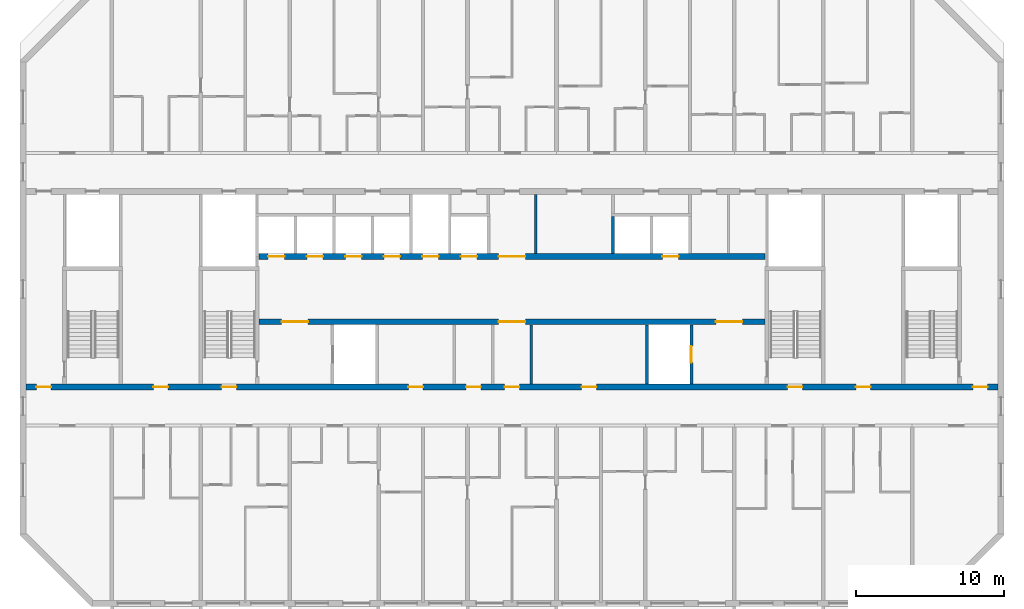
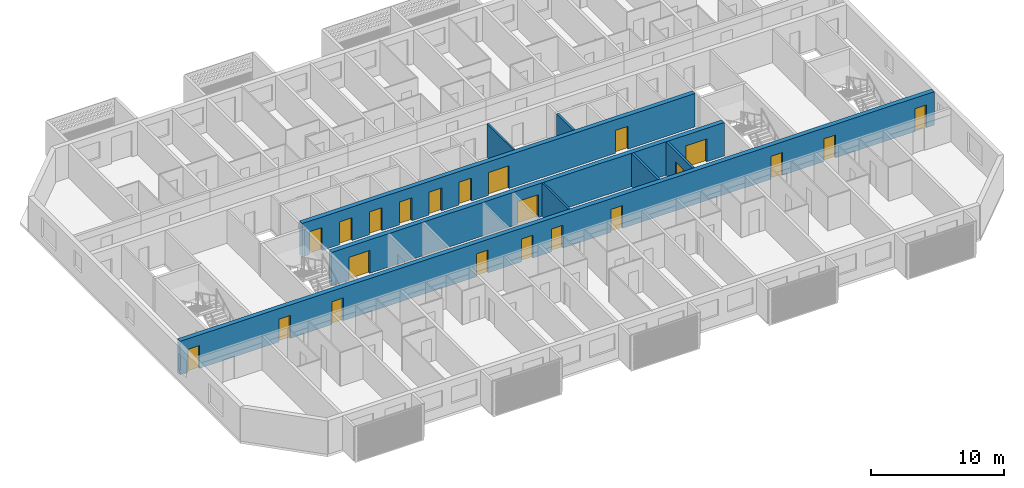
# One storey, part 6 of 26: 22 doors, 8 walls, 22 openings.
"""IFC4 building model written with IfcOpenShell, lengths in metres."""

from ifc_helpers import new_model, si_unit, direction, frame, frame_2d, origin, place, context, subcontext, project, spatial, rectangle, extrude, material, layer, layer_set, type_object, element, fill, save


model = new_model("IFC4")

# Units and contexts
model_context = context("Model", 3, precision=1e-05, world=origin(), true_north=direction((0.0, 1.0)))
body_context = subcontext(model_context, "Body", "Model", "MODEL_VIEW")
ifc_project = project(units=[si_unit("LENGTHUNIT", "METRE"), si_unit("AREAUNIT", "SQUARE_METRE"), si_unit("VOLUMEUNIT", "CUBIC_METRE"), si_unit("PLANEANGLEUNIT", "RADIAN"), si_unit("MASSUNIT", "GRAM", prefix="KILO")], contexts=[model_context])

# Site, building, storey
site_placement = place(None, origin())
site = spatial("IfcSite", under=ifc_project, at=site_placement, CompositionType="ELEMENT")
building_placement = place(site_placement, origin())
building = spatial("IfcBuilding", under=site, at=building_placement, Name="Poui Terraces", CompositionType="ELEMENT")
storey_placement = place(building_placement, frame((0.0, 0.0, 171.89990234375)))
storey = spatial("IfcBuildingStorey", under=building, at=storey_placement, Name="L47", CompositionType="ELEMENT", Elevation=171.89990234375)

# Wall, openings, doors
ifc_material_1 = material(Name="Concrete 50 MPa", Category="concrete")
ifc_layer_1 = layer(ifc_material_1, 0.39990234375)
ifc_layer_set_1 = layer_set([ifc_layer_1], Name="Concrete 50 MPa")
wall_type_1 = type_object("IfcWallType", Name="CORE WALL 400 50 MPA", PredefinedType="SOLIDWALL", material=ifc_layer_set_1)
wall_1_placement = place(storey_placement, frame((33.925048828125, 19.0, 0.0), z_axis=(0.0, 0.0, 1.0), x_axis=(1.0, 0.0, 0.0)))
wall_1 = element("IfcWall", 1, at=wall_1_placement, inside=storey, type_object=wall_type_1, Name="CORE WALL", PredefinedType="SOLIDWALL", context=body_context, shape_type="SweptSolid", body=[
    extrude(rectangle(XDim=34.14990234375, YDim=0.39990234375, at=frame_2d((17.074951171875, 0.0))), origin(), (0.0, 0.0, 1.0), 3.080078125),
])
opening_1_placement = place(wall_1_placement, frame((16.175048828125, 0.0, 0.0)))
opening_1 = element("IfcOpeningElement", 2, at=opening_1_placement, cuts=wall_1, Name="Opening FDD60", PredefinedType="OPENING", context=body_context, shape_type="SweptSolid", body=[
    extrude(rectangle(XDim=1.800048828125, YDim=2.10009765625, at=frame_2d((0.89990234375, 1.050048828125))), frame((0.0, 0.2099609375, 0.0), z_axis=(0.0, -1.0, 0.0), x_axis=(1.0, 0.0, 0.0)), (0.0, 0.0, 1.0), 0.419921875),
])
opening_2_placement = place(wall_1_placement, frame((1.52490234375, 0.0, 0.0)))
opening_2 = element("IfcOpeningElement", 3, at=opening_2_placement, cuts=wall_1, Name="Opening FDD60", PredefinedType="OPENING", context=body_context, shape_type="SweptSolid", body=[
    extrude(rectangle(XDim=1.800048828125, YDim=2.10009765625, at=frame_2d((0.89990234375, 1.050048828125))), frame((0.0, 0.2099609375, 0.0), z_axis=(0.0, -1.0, 0.0), x_axis=(1.0, 0.0, 0.0)), (0.0, 0.0, 1.0), 0.419921875),
])
opening_3_placement = place(wall_1_placement, frame((30.824951171875, 0.0, 0.0)))
opening_3 = element("IfcOpeningElement", 4, at=opening_3_placement, cuts=wall_1, Name="Opening FDD60", PredefinedType="OPENING", context=body_context, shape_type="SweptSolid", body=[
    extrude(rectangle(XDim=1.800048828125, YDim=2.10009765625, at=frame_2d((0.89990234375, 1.050048828125))), frame((0.0, 0.2099609375, 0.0), z_axis=(0.0, -1.0, 0.0), x_axis=(1.0, 0.0, 0.0)), (0.0, 0.0, 1.0), 0.419921875),
])
ifc_material_2 = material(Name="Steel fire door", Category="steel")
door_type_1 = type_object("IfcDoorType", Name="DOUBLE LOBBY FIRE DOOR 1800 X 2100", OperationType="DOUBLE_DOOR_SINGLE_SWING", PredefinedType="DOOR", material=ifc_material_2)
door_1_placement = place(opening_1_placement, frame((1.800048828125, 0.0, 0.0), z_axis=(0.0, 0.0, 1.0), x_axis=(-1.0, 0.0, 0.0)))
door_1 = element("IfcDoor", 5, at=door_1_placement, inside=storey, type_object=door_type_1, Name="DOUBLE LOBBY FIRE DOOR 100", OperationType="DOUBLE_DOOR_SINGLE_SWING", OverallHeight=2.10009765625, OverallWidth=1.800048828125, PredefinedType="DOOR", context=body_context, shape_type="SweptSolid", body=[
    extrude(rectangle(XDim=1.800048828125, YDim=2.10009765625, at=frame_2d((0.89990234375, 1.050048828125))), frame((0.0, 0.02490234375, 0.0), z_axis=(0.0, -1.0, 0.0), x_axis=(1.0, 0.0, 0.0)), (0.0, 0.0, 1.0), 0.050048828125),
])
fill(opening_1, door_1)
door_2_placement = place(opening_2_placement, origin())
door_2 = element("IfcDoor", 6, at=door_2_placement, inside=storey, type_object=door_type_1, Name="DOUBLE LOBBY FIRE DOOR 102", OperationType="DOUBLE_DOOR_SINGLE_SWING", OverallHeight=2.10009765625, OverallWidth=1.800048828125, PredefinedType="DOOR", context=body_context, shape_type="SweptSolid", body=[
    extrude(rectangle(XDim=1.800048828125, YDim=2.10009765625, at=frame_2d((0.89990234375, 1.050048828125))), frame((0.0, 0.02490234375, 0.0), z_axis=(0.0, -1.0, 0.0), x_axis=(1.0, 0.0, 0.0)), (0.0, 0.0, 1.0), 0.050048828125),
])
fill(opening_2, door_2)
door_3_placement = place(opening_3_placement, origin())
door_3 = element("IfcDoor", 7, at=door_3_placement, inside=storey, type_object=door_type_1, Name="DOUBLE LOBBY FIRE DOOR 109", OperationType="DOUBLE_DOOR_SINGLE_SWING", OverallHeight=2.10009765625, OverallWidth=1.800048828125, PredefinedType="DOOR", context=body_context, shape_type="SweptSolid", body=[
    extrude(rectangle(XDim=1.800048828125, YDim=2.10009765625, at=frame_2d((0.89990234375, 1.050048828125))), frame((0.0, 0.02490234375, 0.0), z_axis=(0.0, -1.0, 0.0), x_axis=(1.0, 0.0, 0.0)), (0.0, 0.0, 1.0), 0.050048828125),
])
fill(opening_3, door_3)

wall_2_placement = place(storey_placement, frame((33.925048828125, 23.39990234375, 0.0), z_axis=(0.0, 0.0, 1.0), x_axis=(1.0, 0.0, 0.0)))
wall_2 = element("IfcWall", 8, at=wall_2_placement, inside=storey, type_object=wall_type_1, Name="CORE WALL", PredefinedType="SOLIDWALL", context=body_context, shape_type="SweptSolid", body=[
    extrude(rectangle(XDim=34.14990234375, YDim=0.39990234375, at=frame_2d((17.074951171875, 0.0))), origin(), (0.0, 0.0, 1.0), 3.080078125),
])
opening_4_placement = place(wall_2_placement, frame((16.175048828125, 0.0, 0.0)))
opening_4 = element("IfcOpeningElement", 9, at=opening_4_placement, cuts=wall_2, Name="Opening FDD60", PredefinedType="OPENING", context=body_context, shape_type="SweptSolid", body=[
    extrude(rectangle(XDim=1.800048828125, YDim=2.10009765625, at=frame_2d((0.89990234375, 1.050048828125))), frame((0.0, 0.2099609375, 0.0), z_axis=(0.0, -1.0, 0.0), x_axis=(1.0, 0.0, 0.0)), (0.0, 0.0, 1.0), 0.419921875),
])
opening_5_placement = place(wall_2_placement, frame((0.625, 0.0, 0.0)))
opening_5 = element("IfcOpeningElement", 10, at=opening_5_placement, cuts=wall_2, Name="Opening LD", PredefinedType="OPENING", context=body_context, shape_type="SweptSolid", body=[
    extrude(rectangle(XDim=1.10009765625, YDim=2.10009765625, at=frame_2d((0.550048828125, 1.050048828125))), frame((0.0, 0.2099609375, 0.0), z_axis=(0.0, -1.0, 0.0), x_axis=(1.0, 0.0, 0.0)), (0.0, 0.0, 1.0), 0.419921875),
])
opening_6_placement = place(wall_2_placement, frame((3.22509765625, 0.0, 0.0)))
opening_6 = element("IfcOpeningElement", 11, at=opening_6_placement, cuts=wall_2, Name="Opening LD", PredefinedType="OPENING", context=body_context, shape_type="SweptSolid", body=[
    extrude(rectangle(XDim=1.10009765625, YDim=2.10009765625, at=frame_2d((0.550048828125, 1.050048828125))), frame((0.0, 0.2099609375, 0.0), z_axis=(0.0, -1.0, 0.0), x_axis=(1.0, 0.0, 0.0)), (0.0, 0.0, 1.0), 0.419921875),
])
opening_7_placement = place(wall_2_placement, frame((5.824951171875, 0.0, 0.0)))
opening_7 = element("IfcOpeningElement", 12, at=opening_7_placement, cuts=wall_2, Name="Opening LD", PredefinedType="OPENING", context=body_context, shape_type="SweptSolid", body=[
    extrude(rectangle(XDim=1.10009765625, YDim=2.10009765625, at=frame_2d((0.550048828125, 1.050048828125))), frame((0.0, 0.2099609375, 0.0), z_axis=(0.0, -1.0, 0.0), x_axis=(1.0, 0.0, 0.0)), (0.0, 0.0, 1.0), 0.419921875),
])
opening_8_placement = place(wall_2_placement, frame((8.425048828125, 0.0, 0.0)))
opening_8 = element("IfcOpeningElement", 13, at=opening_8_placement, cuts=wall_2, Name="Opening LD", PredefinedType="OPENING", context=body_context, shape_type="SweptSolid", body=[
    extrude(rectangle(XDim=1.10009765625, YDim=2.10009765625, at=frame_2d((0.550048828125, 1.050048828125))), frame((0.0, 0.2099609375, 0.0), z_axis=(0.0, -1.0, 0.0), x_axis=(1.0, 0.0, 0.0)), (0.0, 0.0, 1.0), 0.419921875),
])
opening_9_placement = place(wall_2_placement, frame((11.02490234375, 0.0, 0.0)))
opening_9 = element("IfcOpeningElement", 14, at=opening_9_placement, cuts=wall_2, Name="Opening LD", PredefinedType="OPENING", context=body_context, shape_type="SweptSolid", body=[
    extrude(rectangle(XDim=1.10009765625, YDim=2.10009765625, at=frame_2d((0.550048828125, 1.050048828125))), frame((0.0, 0.2099609375, 0.0), z_axis=(0.0, -1.0, 0.0), x_axis=(1.0, 0.0, 0.0)), (0.0, 0.0, 1.0), 0.419921875),
])
opening_10_placement = place(wall_2_placement, frame((13.625, 0.0, 0.0)))
opening_10 = element("IfcOpeningElement", 15, at=opening_10_placement, cuts=wall_2, Name="Opening LD", PredefinedType="OPENING", context=body_context, shape_type="SweptSolid", body=[
    extrude(rectangle(XDim=1.10009765625, YDim=2.10009765625, at=frame_2d((0.550048828125, 1.050048828125))), frame((0.0, 0.2099609375, 0.0), z_axis=(0.0, -1.0, 0.0), x_axis=(1.0, 0.0, 0.0)), (0.0, 0.0, 1.0), 0.419921875),
])
opening_11_placement = place(wall_2_placement, frame((27.22509765625, 0.0, 0.0)))
opening_11 = element("IfcOpeningElement", 16, at=opening_11_placement, cuts=wall_2, Name="Opening LD", PredefinedType="OPENING", context=body_context, shape_type="SweptSolid", body=[
    extrude(rectangle(XDim=1.10009765625, YDim=2.10009765625, at=frame_2d((0.550048828125, 1.050048828125))), frame((0.0, 0.2099609375, 0.0), z_axis=(0.0, -1.0, 0.0), x_axis=(1.0, 0.0, 0.0)), (0.0, 0.0, 1.0), 0.419921875),
])
door_4_placement = place(opening_4_placement, origin())
door_4 = element("IfcDoor", 17, at=door_4_placement, inside=storey, type_object=door_type_1, Name="DOUBLE LOBBY FIRE DOOR 099", OperationType="DOUBLE_DOOR_SINGLE_SWING", OverallHeight=2.10009765625, OverallWidth=1.800048828125, PredefinedType="DOOR", context=body_context, shape_type="SweptSolid", body=[
    extrude(rectangle(XDim=1.800048828125, YDim=2.10009765625, at=frame_2d((0.89990234375, 1.050048828125))), frame((0.0, 0.02490234375, 0.0), z_axis=(0.0, -1.0, 0.0), x_axis=(1.0, 0.0, 0.0)), (0.0, 0.0, 1.0), 0.050048828125),
])
fill(opening_4, door_4)
ifc_material_3 = material(Name="Stainless steel sliding door", Category="steel")
door_type_2 = type_object("IfcDoorType", Name="LIFT LANDING DOOR 1100 X 2100", OperationType="DOUBLE_DOOR_SLIDING", PredefinedType="DOOR", material=ifc_material_3)
door_5_placement = place(opening_5_placement, origin())
door_5 = element("IfcDoor", 18, at=door_5_placement, inside=storey, type_object=door_type_2, Name="LANDING DOOR", OperationType="DOUBLE_DOOR_SLIDING", OverallHeight=2.10009765625, OverallWidth=1.10009765625, PredefinedType="DOOR", context=body_context, shape_type="SweptSolid", body=[
    extrude(rectangle(XDim=1.10009765625, YDim=2.10009765625, at=frame_2d((0.550048828125, 1.050048828125))), frame((0.0, 0.02490234375, 0.0), z_axis=(0.0, -1.0, 0.0), x_axis=(1.0, 0.0, 0.0)), (0.0, 0.0, 1.0), 0.050048828125),
])
fill(opening_5, door_5)
door_6_placement = place(opening_6_placement, origin())
door_6 = element("IfcDoor", 19, at=door_6_placement, inside=storey, type_object=door_type_2, Name="LANDING DOOR", OperationType="DOUBLE_DOOR_SLIDING", OverallHeight=2.10009765625, OverallWidth=1.10009765625, PredefinedType="DOOR", context=body_context, shape_type="SweptSolid", body=[
    extrude(rectangle(XDim=1.10009765625, YDim=2.10009765625, at=frame_2d((0.550048828125, 1.050048828125))), frame((0.0, 0.02490234375, 0.0), z_axis=(0.0, -1.0, 0.0), x_axis=(1.0, 0.0, 0.0)), (0.0, 0.0, 1.0), 0.050048828125),
])
fill(opening_6, door_6)
door_7_placement = place(opening_7_placement, origin())
door_7 = element("IfcDoor", 20, at=door_7_placement, inside=storey, type_object=door_type_2, Name="LANDING DOOR", OperationType="DOUBLE_DOOR_SLIDING", OverallHeight=2.10009765625, OverallWidth=1.10009765625, PredefinedType="DOOR", context=body_context, shape_type="SweptSolid", body=[
    extrude(rectangle(XDim=1.10009765625, YDim=2.10009765625, at=frame_2d((0.550048828125, 1.050048828125))), frame((0.0, 0.02490234375, 0.0), z_axis=(0.0, -1.0, 0.0), x_axis=(1.0, 0.0, 0.0)), (0.0, 0.0, 1.0), 0.050048828125),
])
fill(opening_7, door_7)
door_8_placement = place(opening_8_placement, origin())
door_8 = element("IfcDoor", 21, at=door_8_placement, inside=storey, type_object=door_type_2, Name="LANDING DOOR", OperationType="DOUBLE_DOOR_SLIDING", OverallHeight=2.10009765625, OverallWidth=1.10009765625, PredefinedType="DOOR", context=body_context, shape_type="SweptSolid", body=[
    extrude(rectangle(XDim=1.10009765625, YDim=2.10009765625, at=frame_2d((0.550048828125, 1.050048828125))), frame((0.0, 0.02490234375, 0.0), z_axis=(0.0, -1.0, 0.0), x_axis=(1.0, 0.0, 0.0)), (0.0, 0.0, 1.0), 0.050048828125),
])
fill(opening_8, door_8)
door_9_placement = place(opening_9_placement, origin())
door_9 = element("IfcDoor", 22, at=door_9_placement, inside=storey, type_object=door_type_2, Name="LANDING DOOR", OperationType="DOUBLE_DOOR_SLIDING", OverallHeight=2.10009765625, OverallWidth=1.10009765625, PredefinedType="DOOR", context=body_context, shape_type="SweptSolid", body=[
    extrude(rectangle(XDim=1.10009765625, YDim=2.10009765625, at=frame_2d((0.550048828125, 1.050048828125))), frame((0.0, 0.02490234375, 0.0), z_axis=(0.0, -1.0, 0.0), x_axis=(1.0, 0.0, 0.0)), (0.0, 0.0, 1.0), 0.050048828125),
])
fill(opening_9, door_9)
door_10_placement = place(opening_10_placement, origin())
door_10 = element("IfcDoor", 23, at=door_10_placement, inside=storey, type_object=door_type_2, Name="LANDING DOOR", OperationType="DOUBLE_DOOR_SLIDING", OverallHeight=2.10009765625, OverallWidth=1.10009765625, PredefinedType="DOOR", context=body_context, shape_type="SweptSolid", body=[
    extrude(rectangle(XDim=1.10009765625, YDim=2.10009765625, at=frame_2d((0.550048828125, 1.050048828125))), frame((0.0, 0.02490234375, 0.0), z_axis=(0.0, -1.0, 0.0), x_axis=(1.0, 0.0, 0.0)), (0.0, 0.0, 1.0), 0.050048828125),
])
fill(opening_10, door_10)
door_11_placement = place(opening_11_placement, origin())
door_11 = element("IfcDoor", 24, at=door_11_placement, inside=storey, type_object=door_type_2, Name="LANDING DOOR", OperationType="DOUBLE_DOOR_SLIDING", OverallHeight=2.10009765625, OverallWidth=1.10009765625, PredefinedType="DOOR", context=body_context, shape_type="SweptSolid", body=[
    extrude(rectangle(XDim=1.10009765625, YDim=2.10009765625, at=frame_2d((0.550048828125, 1.050048828125))), frame((0.0, 0.02490234375, 0.0), z_axis=(0.0, -1.0, 0.0), x_axis=(1.0, 0.0, 0.0)), (0.0, 0.0, 1.0), 0.050048828125),
])
fill(opening_11, door_11)

# Walls
ifc_material_4 = material(Name="Fire-rated plasterboard wall")
ifc_layer_2 = layer(ifc_material_4, 0.14990234375)
ifc_layer_set_2 = layer_set([ifc_layer_2], Name="Fire-rated plasterboard wall")
wall_type_2 = type_object("IfcWallType", Name="CORRIDOR WALL 150", PredefinedType="PARTITIONING", material=ifc_layer_set_2)
for number, where, z_axis, x_axis, name in (
    (25, (52.300048828125, 14.81005859375, 0.0), (0.0, 0.0, 1.0), (0.0, 1.0, 0.0), "CORRIDOR WALL 150"),
    (26, (52.60009765625, 23.610107421875, 0.0), (0.0, 0.0, 1.0), (0.0, 1.0, 0.0), "CORRIDOR WALL 150"),
):
    element("IfcWall", number, at=place(storey_placement, frame(where, z_axis=z_axis, x_axis=x_axis)), inside=storey, type_object=wall_type_2, Name=name, PredefinedType="PARTITIONING", context=body_context, shape_type="SweptSolid", body=[
        extrude(rectangle(XDim=3.97998046875, YDim=0.14990234375, at=frame_2d((1.989990234375, 0.0))), origin(), (0.0, 0.0, 1.0), 3.080078125),
    ])
ifc_material_5 = material(Name="Fire-rated masonry shaft wall", Category="masonry")
ifc_layer_3 = layer(ifc_material_5, 0.199951171875)
ifc_layer_set_3 = layer_set([ifc_layer_3], Name="Fire-rated masonry shaft wall")
wall_type_3 = type_object("IfcWallType", Name="SHAFT WALL 200", PredefinedType="PARTITIONING", material=ifc_layer_set_3)
wall_3_placement = place(storey_placement, frame((57.800048828125, 23.610107421875, 0.0), z_axis=(0.0, 0.0, 1.0), x_axis=(0.0, 1.0, 0.0)))
element("IfcWall", 27, at=wall_3_placement, inside=storey, type_object=wall_type_3, Name="SHAFT WALL 200", PredefinedType="PARTITIONING", context=body_context, shape_type="SweptSolid", body=[
    extrude(rectangle(XDim=2.489990234375, YDim=0.199951171875, at=frame_2d((1.2451171875, 0.0))), origin(), (0.0, 0.0, 1.0), 3.080078125),
])
wall_4_placement = place(storey_placement, frame((60.10009765625, 14.81005859375, 0.0), z_axis=(0.0, 0.0, 1.0), x_axis=(0.0, 1.0, 0.0)))
element("IfcWall", 28, at=wall_4_placement, inside=storey, type_object=wall_type_3, Name="SHAFT WALL 200", PredefinedType="PARTITIONING", context=body_context, shape_type="SweptSolid", body=[
    extrude(rectangle(XDim=3.97998046875, YDim=0.199951171875, at=frame_2d((1.989990234375, 0.0))), origin(), (0.0, 0.0, 1.0), 3.080078125),
])

# Wall, opening, door
wall_5_placement = place(storey_placement, frame((63.10009765625, 14.81005859375, 0.0), z_axis=(0.0, 0.0, 1.0), x_axis=(0.0, 1.0, 0.0)))
wall_5 = element("IfcWall", 29, at=wall_5_placement, inside=storey, type_object=wall_type_3, Name="SHAFT WALL 200", PredefinedType="PARTITIONING", context=body_context, shape_type="SweptSolid", body=[
    extrude(rectangle(XDim=3.97998046875, YDim=0.199951171875, at=frame_2d((1.989990234375, 0.0))), origin(), (0.0, 0.0, 1.0), 3.080078125),
])
opening_12_placement = place(wall_5_placement, frame((1.43994140625, 0.0, 0.0)))
opening_12 = element("IfcOpeningElement", 30, at=opening_12_placement, cuts=wall_5, Name="Opening LD", PredefinedType="OPENING", context=body_context, shape_type="SweptSolid", body=[
    extrude(rectangle(XDim=1.10009765625, YDim=2.10009765625, at=frame_2d((0.550048828125, 1.050048828125))), frame((0.0, 0.10986328125, 0.0), z_axis=(0.0, -1.0, 0.0), x_axis=(1.0, 0.0, 0.0)), (0.0, 0.0, 1.0), 0.219970703125),
])
door_12_placement = place(opening_12_placement, origin())
door_12 = element("IfcDoor", 31, at=door_12_placement, inside=storey, type_object=door_type_2, Name="LANDING DOOR", OperationType="DOUBLE_DOOR_SLIDING", OverallHeight=2.10009765625, OverallWidth=1.10009765625, PredefinedType="DOOR", context=body_context, shape_type="SweptSolid", body=[
    extrude(rectangle(XDim=1.10009765625, YDim=2.10009765625, at=frame_2d((0.550048828125, 1.050048828125))), frame((0.0, 0.02490234375, 0.0), z_axis=(0.0, -1.0, 0.0), x_axis=(1.0, 0.0, 0.0)), (0.0, 0.0, 1.0), 0.050048828125),
])
fill(opening_12, door_12)

# Wall, openings, doors
ifc_layer_4 = layer(ifc_material_1, 0.39990234375)
ifc_layer_set_4 = layer_set([ifc_layer_4], Name="Concrete 50 MPa")
wall_type_4 = type_object("IfcWallType", Name="SPINE WALL 400 50 MPA", PredefinedType="SOLIDWALL", material=ifc_layer_set_4)
wall_6_placement = place(storey_placement, frame((18.199951171875, 14.60009765625, 0.0), z_axis=(0.0, 0.0, 1.0), x_axis=(1.0, 0.0, 0.0)))
wall_6 = element("IfcWall", 32, at=wall_6_placement, inside=storey, type_object=wall_type_4, Name="SPINE WALL", PredefinedType="SOLIDWALL", context=body_context, shape_type="SweptSolid", body=[
    extrude(rectangle(XDim=65.60009765625, YDim=0.39990234375, at=frame_2d((32.800048828125, 0.0))), origin(), (0.0, 0.0, 1.0), 3.080078125),
])
opening_13_placement = place(wall_6_placement, frame((0.699951171875, 0.0, 0.0)))
opening_13 = element("IfcOpeningElement", 33, at=opening_13_placement, cuts=wall_6, Name="Opening FDL", PredefinedType="OPENING", context=body_context, shape_type="SweptSolid", body=[
    extrude(rectangle(XDim=1.0, YDim=2.10009765625, at=frame_2d((0.5, 1.050048828125))), frame((0.0, 0.2099609375, 0.0), z_axis=(0.0, -1.0, 0.0), x_axis=(1.0, 0.0, 0.0)), (0.0, 0.0, 1.0), 0.419921875),
])
opening_14_placement = place(wall_6_placement, frame((8.60009765625, 0.0, 0.0)))
opening_14 = element("IfcOpeningElement", 34, at=opening_14_placement, cuts=wall_6, Name="Opening D100", PredefinedType="OPENING", context=body_context, shape_type="SweptSolid", body=[
    extrude(rectangle(XDim=1.0, YDim=2.10009765625, at=frame_2d((0.5, 1.050048828125))), frame((0.0, 0.2099609375, 0.0), z_axis=(0.0, -1.0, 0.0), x_axis=(1.0, 0.0, 0.0)), (0.0, 0.0, 1.0), 0.419921875),
])
opening_15_placement = place(wall_6_placement, frame((13.199951171875, 0.0, 0.0)))
opening_15 = element("IfcOpeningElement", 35, at=opening_15_placement, cuts=wall_6, Name="Opening FD60S", PredefinedType="OPENING", context=body_context, shape_type="SweptSolid", body=[
    extrude(rectangle(XDim=1.0, YDim=2.10009765625, at=frame_2d((0.5, 1.050048828125))), frame((0.0, 0.2099609375, 0.0), z_axis=(0.0, -1.0, 0.0), x_axis=(1.0, 0.0, 0.0)), (0.0, 0.0, 1.0), 0.419921875),
])
opening_16_placement = place(wall_6_placement, frame((25.800048828125, 0.0, 0.0)))
opening_16 = element("IfcOpeningElement", 36, at=opening_16_placement, cuts=wall_6, Name="Opening FD60", PredefinedType="OPENING", context=body_context, shape_type="SweptSolid", body=[
    extrude(rectangle(XDim=1.0, YDim=2.10009765625, at=frame_2d((0.5, 1.050048828125))), frame((0.0, 0.2099609375, 0.0), z_axis=(0.0, -1.0, 0.0), x_axis=(1.0, 0.0, 0.0)), (0.0, 0.0, 1.0), 0.419921875),
])
opening_17_placement = place(wall_6_placement, frame((29.699951171875, 0.0, 0.0)))
opening_17 = element("IfcOpeningElement", 37, at=opening_17_placement, cuts=wall_6, Name="Opening FD60", PredefinedType="OPENING", context=body_context, shape_type="SweptSolid", body=[
    extrude(rectangle(XDim=1.0, YDim=2.10009765625, at=frame_2d((0.5, 1.050048828125))), frame((0.0, 0.2099609375, 0.0), z_axis=(0.0, -1.0, 0.0), x_axis=(1.0, 0.0, 0.0)), (0.0, 0.0, 1.0), 0.419921875),
])
opening_18_placement = place(wall_6_placement, frame((32.300048828125, 0.0, 0.0)))
opening_18 = element("IfcOpeningElement", 38, at=opening_18_placement, cuts=wall_6, Name="Opening FDL", PredefinedType="OPENING", context=body_context, shape_type="SweptSolid", body=[
    extrude(rectangle(XDim=1.0, YDim=2.10009765625, at=frame_2d((0.5, 1.050048828125))), frame((0.0, 0.2099609375, 0.0), z_axis=(0.0, -1.0, 0.0), x_axis=(1.0, 0.0, 0.0)), (0.0, 0.0, 1.0), 0.419921875),
])
opening_19_placement = place(wall_6_placement, frame((37.5, 0.0, 0.0)))
opening_19 = element("IfcOpeningElement", 39, at=opening_19_placement, cuts=wall_6, Name="Opening FD60", PredefinedType="OPENING", context=body_context, shape_type="SweptSolid", body=[
    extrude(rectangle(XDim=1.0, YDim=2.10009765625, at=frame_2d((0.5, 1.050048828125))), frame((0.0, 0.2099609375, 0.0), z_axis=(0.0, -1.0, 0.0), x_axis=(1.0, 0.0, 0.0)), (0.0, 0.0, 1.0), 0.419921875),
])
opening_20_placement = place(wall_6_placement, frame((51.39990234375, 0.0, 0.0)))
opening_20 = element("IfcOpeningElement", 40, at=opening_20_placement, cuts=wall_6, Name="Opening FD60S", PredefinedType="OPENING", context=body_context, shape_type="SweptSolid", body=[
    extrude(rectangle(XDim=1.0, YDim=2.10009765625, at=frame_2d((0.5, 1.050048828125))), frame((0.0, 0.2099609375, 0.0), z_axis=(0.0, -1.0, 0.0), x_axis=(1.0, 0.0, 0.0)), (0.0, 0.0, 1.0), 0.419921875),
])
opening_21_placement = place(wall_6_placement, frame((56.0, 0.0, 0.0)))
opening_21 = element("IfcOpeningElement", 41, at=opening_21_placement, cuts=wall_6, Name="Opening D100", PredefinedType="OPENING", context=body_context, shape_type="SweptSolid", body=[
    extrude(rectangle(XDim=1.0, YDim=2.10009765625, at=frame_2d((0.5, 1.050048828125))), frame((0.0, 0.2099609375, 0.0), z_axis=(0.0, -1.0, 0.0), x_axis=(1.0, 0.0, 0.0)), (0.0, 0.0, 1.0), 0.419921875),
])
opening_22_placement = place(wall_6_placement, frame((63.89990234375, 0.0, 0.0)))
opening_22 = element("IfcOpeningElement", 42, at=opening_22_placement, cuts=wall_6, Name="Opening FDL", PredefinedType="OPENING", context=body_context, shape_type="SweptSolid", body=[
    extrude(rectangle(XDim=1.0, YDim=2.10009765625, at=frame_2d((0.5, 1.050048828125))), frame((0.0, 0.2099609375, 0.0), z_axis=(0.0, -1.0, 0.0), x_axis=(1.0, 0.0, 0.0)), (0.0, 0.0, 1.0), 0.419921875),
])
ifc_material_6 = material(Name="Solid core timber door", Category="wood")
door_type_3 = type_object("IfcDoorType", Name="ACCESSIBLE INTERNAL DOOR 1000 X 2100", OperationType="NOTDEFINED", PredefinedType="DOOR", material=ifc_material_6)
door_13_placement = place(opening_14_placement, frame((1.0, 0.0, 0.0), z_axis=(0.0, 0.0, 1.0), x_axis=(-1.0, 0.0, 0.0)))
door_13 = element("IfcDoor", 43, at=door_13_placement, inside=storey, type_object=door_type_3, Name="ACCESSIBLE INTERNAL DOOR 016", OperationType="SINGLE_SWING_LEFT", OverallHeight=2.10009765625, OverallWidth=1.0, PredefinedType="DOOR", context=body_context, shape_type="SweptSolid", body=[
    extrude(rectangle(XDim=1.0, YDim=2.10009765625, at=frame_2d((0.5, 1.050048828125))), frame((0.0, 0.02490234375, 0.0), z_axis=(0.0, -1.0, 0.0), x_axis=(1.0, 0.0, 0.0)), (0.0, 0.0, 1.0), 0.050048828125),
])
fill(opening_14, door_13)
door_14_placement = place(opening_21_placement, frame((1.0, 0.0, 0.0), z_axis=(0.0, 0.0, 1.0), x_axis=(-1.0, 0.0, 0.0)))
door_14 = element("IfcDoor", 44, at=door_14_placement, inside=storey, type_object=door_type_3, Name="ACCESSIBLE INTERNAL DOOR 023", OperationType="SINGLE_SWING_RIGHT", OverallHeight=2.10009765625, OverallWidth=1.0, PredefinedType="DOOR", context=body_context, shape_type="SweptSolid", body=[
    extrude(rectangle(XDim=1.0, YDim=2.10009765625, at=frame_2d((0.5, 1.050048828125))), frame((0.0, 0.02490234375, 0.0), z_axis=(0.0, -1.0, 0.0), x_axis=(1.0, 0.0, 0.0)), (0.0, 0.0, 1.0), 0.050048828125),
])
fill(opening_21, door_14)
door_type_4 = type_object("IfcDoorType", Name="LOBBY FIRE DOOR 1000 X 2100", OperationType="NOTDEFINED", PredefinedType="DOOR", material=ifc_material_2)
door_15_placement = place(opening_13_placement, frame((1.0, 0.0, 0.0), z_axis=(0.0, 0.0, 1.0), x_axis=(-1.0, 0.0, 0.0)))
door_15 = element("IfcDoor", 45, at=door_15_placement, inside=storey, type_object=door_type_4, Name="LOBBY FIRE DOOR 015", OperationType="SINGLE_SWING_RIGHT", OverallHeight=2.10009765625, OverallWidth=1.0, PredefinedType="DOOR", context=body_context, shape_type="SweptSolid", body=[
    extrude(rectangle(XDim=1.0, YDim=2.10009765625, at=frame_2d((0.5, 1.050048828125))), frame((0.0, 0.02490234375, 0.0), z_axis=(0.0, -1.0, 0.0), x_axis=(1.0, 0.0, 0.0)), (0.0, 0.0, 1.0), 0.050048828125),
])
fill(opening_13, door_15)
door_16_placement = place(opening_18_placement, frame((1.0, 0.0, 0.0), z_axis=(0.0, 0.0, 1.0), x_axis=(-1.0, 0.0, 0.0)))
door_16 = element("IfcDoor", 46, at=door_16_placement, inside=storey, type_object=door_type_4, Name="LOBBY FIRE DOOR 020", OperationType="SINGLE_SWING_LEFT", OverallHeight=2.10009765625, OverallWidth=1.0, PredefinedType="DOOR", context=body_context, shape_type="SweptSolid", body=[
    extrude(rectangle(XDim=1.0, YDim=2.10009765625, at=frame_2d((0.5, 1.050048828125))), frame((0.0, 0.02490234375, 0.0), z_axis=(0.0, -1.0, 0.0), x_axis=(1.0, 0.0, 0.0)), (0.0, 0.0, 1.0), 0.050048828125),
])
fill(opening_18, door_16)
door_17_placement = place(opening_22_placement, frame((1.0, 0.0, 0.0), z_axis=(0.0, 0.0, 1.0), x_axis=(-1.0, 0.0, 0.0)))
door_17 = element("IfcDoor", 47, at=door_17_placement, inside=storey, type_object=door_type_4, Name="LOBBY FIRE DOOR 024", OperationType="SINGLE_SWING_LEFT", OverallHeight=2.10009765625, OverallWidth=1.0, PredefinedType="DOOR", context=body_context, shape_type="SweptSolid", body=[
    extrude(rectangle(XDim=1.0, YDim=2.10009765625, at=frame_2d((0.5, 1.050048828125))), frame((0.0, 0.02490234375, 0.0), z_axis=(0.0, -1.0, 0.0), x_axis=(1.0, 0.0, 0.0)), (0.0, 0.0, 1.0), 0.050048828125),
])
fill(opening_22, door_17)
door_type_5 = type_object("IfcDoorType", Name="SERVICE ROOM FIRE DOOR 1000 X 2100", OperationType="NOTDEFINED", PredefinedType="DOOR", material=ifc_material_2)
door_18_placement = place(opening_16_placement, frame((1.0, 0.0, 0.0), z_axis=(0.0, 0.0, 1.0), x_axis=(-1.0, 0.0, 0.0)))
door_18 = element("IfcDoor", 48, at=door_18_placement, inside=storey, type_object=door_type_5, Name="SERVICE ROOM FIRE DOOR 018", OperationType="SINGLE_SWING_LEFT", OverallHeight=2.10009765625, OverallWidth=1.0, PredefinedType="DOOR", context=body_context, shape_type="SweptSolid", body=[
    extrude(rectangle(XDim=1.0, YDim=2.10009765625, at=frame_2d((0.5, 1.050048828125))), frame((0.0, 0.02490234375, 0.0), z_axis=(0.0, -1.0, 0.0), x_axis=(1.0, 0.0, 0.0)), (0.0, 0.0, 1.0), 0.050048828125),
])
fill(opening_16, door_18)
door_19_placement = place(opening_17_placement, frame((1.0, 0.0, 0.0), z_axis=(0.0, 0.0, 1.0), x_axis=(-1.0, 0.0, 0.0)))
door_19 = element("IfcDoor", 49, at=door_19_placement, inside=storey, type_object=door_type_5, Name="SERVICE ROOM FIRE DOOR 019", OperationType="SINGLE_SWING_RIGHT", OverallHeight=2.10009765625, OverallWidth=1.0, PredefinedType="DOOR", context=body_context, shape_type="SweptSolid", body=[
    extrude(rectangle(XDim=1.0, YDim=2.10009765625, at=frame_2d((0.5, 1.050048828125))), frame((0.0, 0.02490234375, 0.0), z_axis=(0.0, -1.0, 0.0), x_axis=(1.0, 0.0, 0.0)), (0.0, 0.0, 1.0), 0.050048828125),
])
fill(opening_17, door_19)
door_20_placement = place(opening_19_placement, frame((1.0, 0.0, 0.0), z_axis=(0.0, 0.0, 1.0), x_axis=(-1.0, 0.0, 0.0)))
door_20 = element("IfcDoor", 50, at=door_20_placement, inside=storey, type_object=door_type_5, Name="SERVICE ROOM FIRE DOOR 021", OperationType="SINGLE_SWING_LEFT", OverallHeight=2.10009765625, OverallWidth=1.0, PredefinedType="DOOR", context=body_context, shape_type="SweptSolid", body=[
    extrude(rectangle(XDim=1.0, YDim=2.10009765625, at=frame_2d((0.5, 1.050048828125))), frame((0.0, 0.02490234375, 0.0), z_axis=(0.0, -1.0, 0.0), x_axis=(1.0, 0.0, 0.0)), (0.0, 0.0, 1.0), 0.050048828125),
])
fill(opening_19, door_20)
door_type_6 = type_object("IfcDoorType", Name="STAIR DOOR 1000 X 2100", OperationType="NOTDEFINED", PredefinedType="DOOR", material=ifc_material_2)
door_21_placement = place(opening_15_placement, origin())
door_21 = element("IfcDoor", 51, at=door_21_placement, inside=storey, type_object=door_type_6, Name="STAIR DOOR 017", OperationType="SINGLE_SWING_RIGHT", OverallHeight=2.10009765625, OverallWidth=1.0, PredefinedType="DOOR", context=body_context, shape_type="SweptSolid", body=[
    extrude(rectangle(XDim=1.0, YDim=2.10009765625, at=frame_2d((0.5, 1.050048828125))), frame((0.0, 0.02490234375, 0.0), z_axis=(0.0, -1.0, 0.0), x_axis=(1.0, 0.0, 0.0)), (0.0, 0.0, 1.0), 0.050048828125),
])
fill(opening_15, door_21)
door_22_placement = place(opening_20_placement, origin())
door_22 = element("IfcDoor", 52, at=door_22_placement, inside=storey, type_object=door_type_6, Name="STAIR DOOR 022", OperationType="SINGLE_SWING_RIGHT", OverallHeight=2.10009765625, OverallWidth=1.0, PredefinedType="DOOR", context=body_context, shape_type="SweptSolid", body=[
    extrude(rectangle(XDim=1.0, YDim=2.10009765625, at=frame_2d((0.5, 1.050048828125))), frame((0.0, 0.02490234375, 0.0), z_axis=(0.0, -1.0, 0.0), x_axis=(1.0, 0.0, 0.0)), (0.0, 0.0, 1.0), 0.050048828125),
])
fill(opening_20, door_22)

save(model, "model.ifc")
